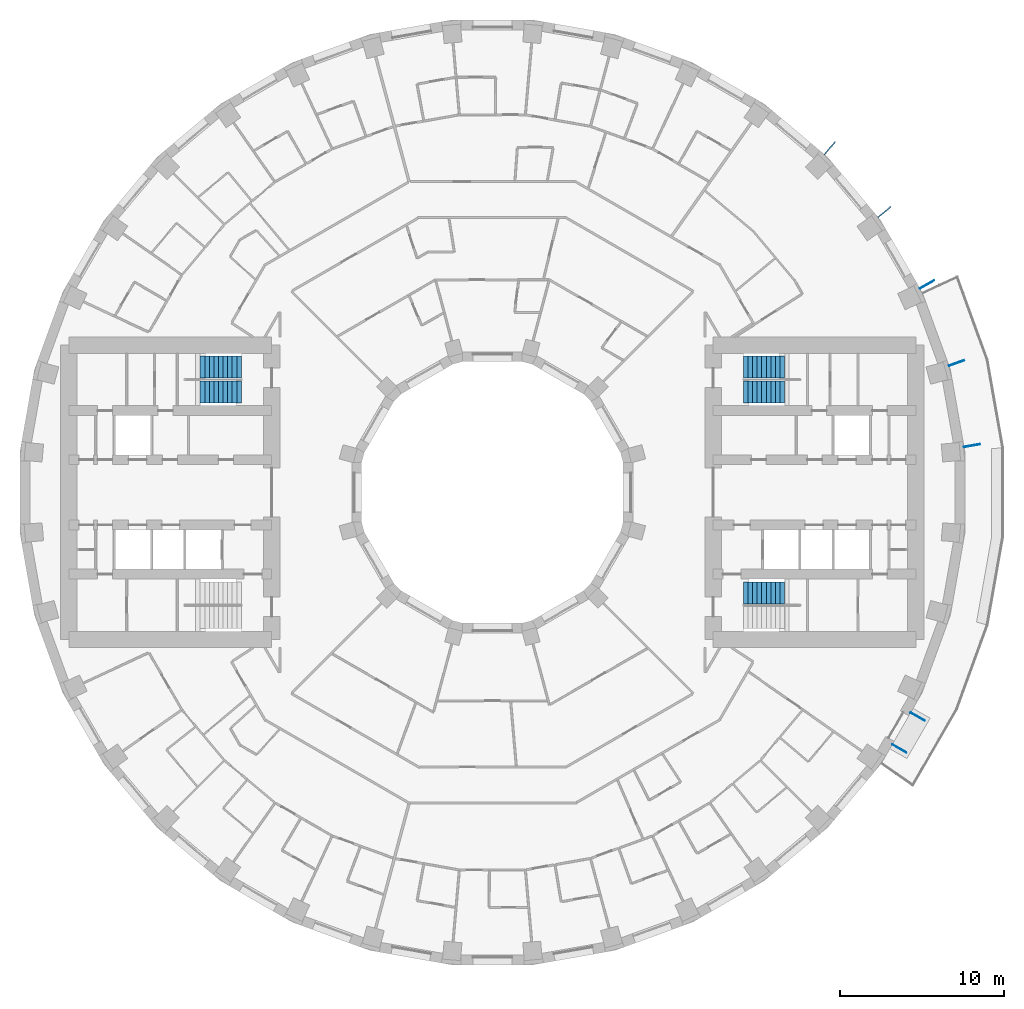
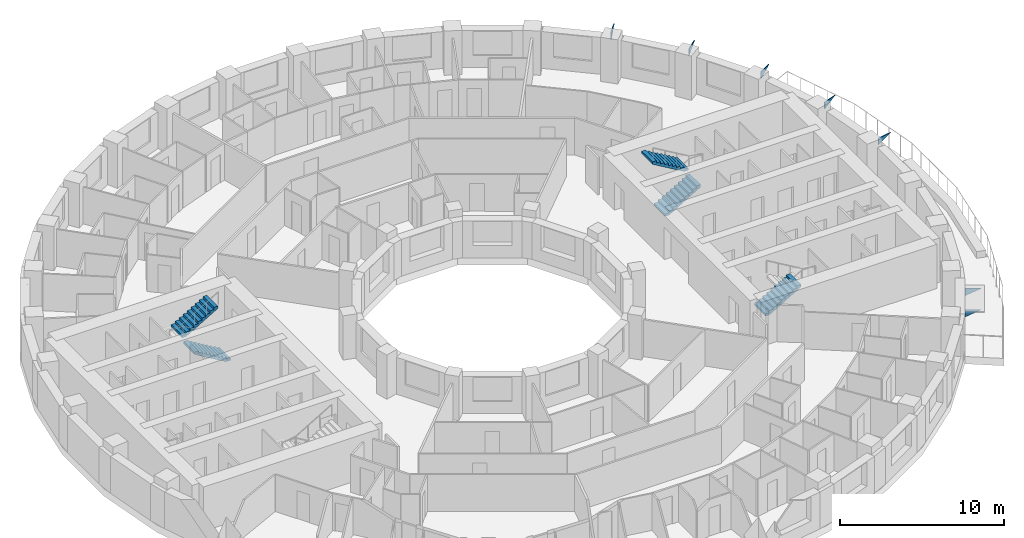
# One storey, part 13 of 14: 7 discrete accessories, 5 stair flights, 3 elements without a shape of their own.
"""IFC4 building model written with IfcOpenShell, lengths in metres."""

from ifc_helpers import new_model, si_unit, direction, frame, origin, place, context, subcontext, project, spatial, polyline, outline, extrude, material, layer, layer_set, type_object, element, aggregate, save


model = new_model("IFC4")

# Units and contexts
model_context = context("Model", 3, precision=1e-05, world=origin(), true_north=direction((0.0, 1.0)))
body_context = subcontext(model_context, "Body", "Model", "MODEL_VIEW")
ifc_project = project(units=[si_unit("LENGTHUNIT", "METRE"), si_unit("AREAUNIT", "SQUARE_METRE"), si_unit("VOLUMEUNIT", "CUBIC_METRE"), si_unit("PLANEANGLEUNIT", "RADIAN"), si_unit("MASSUNIT", "GRAM", prefix="KILO")], contexts=[model_context])

# Site, building, storey
site_placement = place(None, origin())
site = spatial("IfcSite", under=ifc_project, at=site_placement, CompositionType="ELEMENT")
building_placement = place(site_placement, origin())
building = spatial("IfcBuilding", under=site, at=building_placement, Name="Saqina Gate Tower", CompositionType="ELEMENT")
storey_placement = place(building_placement, frame((0.0, 0.0, 52.699951171875)))
storey = spatial("IfcBuildingStorey", under=building, at=storey_placement, Name="L14", CompositionType="ELEMENT", Elevation=52.699951171875)

# Stair, stair flights
ifc_material_1 = material(Name="Concrete C40/50", Category="concrete")
stair_type = type_object("IfcStairType", Name="EXIT STAIR", PredefinedType="HALF_TURN_STAIR", material=ifc_material_1)
stair_1_placement = place(storey_placement, origin())
stair_1 = element("IfcStair", 1, at=stair_1_placement, inside=storey, type_object=stair_type, Name="EXIT STAIR 1", PredefinedType="HALF_TURN_STAIR")
ifc_material_2 = material(Name="Concrete C40/50", Category="concrete")
stair_flight_type = type_object("IfcStairFlightType", Name="EXIT STAIR FLIGHT", PredefinedType="STRAIGHT", material=ifc_material_2)
stair_flight_1_placement = place(storey_placement, frame((15.35009765625, 6.1416015625, 0.0), z_axis=(0.0, 0.0, 1.0), x_axis=(1.0, 0.0, 0.0)))
stair_flight_1 = element("IfcStairFlight", 2, at=stair_flight_1_placement, type_object=stair_flight_type, Name="EXIT STAIR 1 FLIGHT 1", NumberOfRisers=10, NumberOfTreads=9, PredefinedType="STRAIGHT", RiserHeight=0.165, TreadLength=0.28, context=body_context, shape_type="SweptSolid", body=[
    extrude(outline(polyline([(0.0, 0.0), (0.0, 0.1650390625), (0.280029296875, 0.1650390625), (0.280029296875, 0.330078125), (0.56005859375, 0.330078125), (0.56005859375, 0.4951171875), (0.840087890625, 0.4951171875), (0.840087890625, 0.659912109375), (1.1201171875, 0.659912109375), (1.1201171875, 0.824951171875), (1.39990234375, 0.824951171875), (1.39990234375, 0.989990234375), (1.679931640625, 0.989990234375), (1.679931640625, 1.155029296875), (1.9599609375, 1.155029296875), (1.9599609375, 1.320068359375), (2.239990234375, 1.320068359375), (2.239990234375, 1.485107421875), (2.52001953125, 1.485107421875), (2.52001953125, 1.64990234375), (2.52001953125, 1.31103515625), (0.295166015625, 0.0), (0.0, 0.0)])), frame((0.0, 0.675048828125, 0.0), z_axis=(0.0, -1.0, 0.0), x_axis=(1.0, 0.0, 0.0)), (0.0, 0.0, 1.0), 1.35009765625),
])
stair_flight_2_placement = place(storey_placement, frame((17.8701171875, 7.658447265625, 1.650146484375), z_axis=(0.0, 0.0, 1.0), x_axis=(-1.0, 0.0, 0.0)))
stair_flight_2 = element("IfcStairFlight", 3, at=stair_flight_2_placement, type_object=stair_flight_type, Name="EXIT STAIR 1 FLIGHT 2", NumberOfRisers=10, NumberOfTreads=9, PredefinedType="STRAIGHT", RiserHeight=0.165, TreadLength=0.28, context=body_context, shape_type="SweptSolid", body=[
    extrude(outline(polyline([(0.0, 0.0), (0.0, 0.1650390625), (0.280029296875, 0.1650390625), (0.280029296875, 0.330078125), (0.56005859375, 0.330078125), (0.56005859375, 0.4951171875), (0.840087890625, 0.4951171875), (0.840087890625, 0.659912109375), (1.1201171875, 0.659912109375), (1.1201171875, 0.824951171875), (1.39990234375, 0.824951171875), (1.39990234375, 0.989990234375), (1.679931640625, 0.989990234375), (1.679931640625, 1.155029296875), (1.9599609375, 1.155029296875), (1.9599609375, 1.320068359375), (2.239990234375, 1.320068359375), (2.239990234375, 1.485107421875), (2.52001953125, 1.485107421875), (2.52001953125, 1.64990234375), (2.52001953125, 1.31103515625), (0.295166015625, 0.0), (0.0, 0.0)])), frame((0.0, 0.675048828125, 0.0), z_axis=(0.0, -1.0, 0.0), x_axis=(1.0, 0.0, 0.0)), (0.0, 0.0, 1.0), 1.35009765625),
])
aggregate(stair_1, [stair_flight_1, stair_flight_2])

# Stair, stair flight
stair_2_placement = place(storey_placement, origin())
stair_2 = element("IfcStair", 4, at=stair_2_placement, inside=storey, type_object=stair_type, Name="EXIT STAIR 2", PredefinedType="HALF_TURN_STAIR")
stair_flight_3_placement = place(storey_placement, frame((15.35009765625, -6.1416015625, 0.0), z_axis=(0.0, 0.0, 1.0), x_axis=(1.0, 0.0, 0.0)))
stair_flight_3 = element("IfcStairFlight", 5, at=stair_flight_3_placement, type_object=stair_flight_type, Name="EXIT STAIR 2 FLIGHT 1", NumberOfRisers=10, NumberOfTreads=9, PredefinedType="STRAIGHT", RiserHeight=0.165, TreadLength=0.28, context=body_context, shape_type="SweptSolid", body=[
    extrude(outline(polyline([(0.0, 0.0), (0.0, 0.1650390625), (0.280029296875, 0.1650390625), (0.280029296875, 0.330078125), (0.56005859375, 0.330078125), (0.56005859375, 0.4951171875), (0.840087890625, 0.4951171875), (0.840087890625, 0.659912109375), (1.1201171875, 0.659912109375), (1.1201171875, 0.824951171875), (1.39990234375, 0.824951171875), (1.39990234375, 0.989990234375), (1.679931640625, 0.989990234375), (1.679931640625, 1.155029296875), (1.9599609375, 1.155029296875), (1.9599609375, 1.320068359375), (2.239990234375, 1.320068359375), (2.239990234375, 1.485107421875), (2.52001953125, 1.485107421875), (2.52001953125, 1.64990234375), (2.52001953125, 1.31103515625), (0.295166015625, 0.0), (0.0, 0.0)])), frame((0.0, 0.675048828125, 0.0), z_axis=(0.0, -1.0, 0.0), x_axis=(1.0, 0.0, 0.0)), (0.0, 0.0, 1.0), 1.35009765625),
])
aggregate(stair_2, [stair_flight_3])

# Stair, stair flights
stair_3_placement = place(storey_placement, origin())
stair_3 = element("IfcStair", 6, at=stair_3_placement, inside=storey, type_object=stair_type, Name="EXIT STAIR 3", PredefinedType="HALF_TURN_STAIR")
stair_flight_4_placement = place(storey_placement, frame((-15.35009765625, 6.1416015625, 0.0), z_axis=(0.0, 0.0, 1.0), x_axis=(-1.0, 0.0, 0.0)))
stair_flight_4 = element("IfcStairFlight", 7, at=stair_flight_4_placement, type_object=stair_flight_type, Name="EXIT STAIR 3 FLIGHT 1", NumberOfRisers=10, NumberOfTreads=9, PredefinedType="STRAIGHT", RiserHeight=0.165, TreadLength=0.28, context=body_context, shape_type="SweptSolid", body=[
    extrude(outline(polyline([(0.0, 0.0), (0.0, 0.1650390625), (0.280029296875, 0.1650390625), (0.280029296875, 0.330078125), (0.56005859375, 0.330078125), (0.56005859375, 0.4951171875), (0.840087890625, 0.4951171875), (0.840087890625, 0.659912109375), (1.1201171875, 0.659912109375), (1.1201171875, 0.824951171875), (1.39990234375, 0.824951171875), (1.39990234375, 0.989990234375), (1.679931640625, 0.989990234375), (1.679931640625, 1.155029296875), (1.9599609375, 1.155029296875), (1.9599609375, 1.320068359375), (2.239990234375, 1.320068359375), (2.239990234375, 1.485107421875), (2.52001953125, 1.485107421875), (2.52001953125, 1.64990234375), (2.52001953125, 1.31103515625), (0.295166015625, 0.0), (0.0, 0.0)])), frame((0.0, 0.675048828125, 0.0), z_axis=(0.0, -1.0, 0.0), x_axis=(1.0, 0.0, 0.0)), (0.0, 0.0, 1.0), 1.35009765625),
])
stair_flight_5_placement = place(storey_placement, frame((-17.8701171875, 7.658447265625, 1.650146484375), z_axis=(0.0, 0.0, 1.0), x_axis=(1.0, 0.0, 0.0)))
stair_flight_5 = element("IfcStairFlight", 8, at=stair_flight_5_placement, type_object=stair_flight_type, Name="EXIT STAIR 3 FLIGHT 2", NumberOfRisers=10, NumberOfTreads=9, PredefinedType="STRAIGHT", RiserHeight=0.165, TreadLength=0.28, context=body_context, shape_type="SweptSolid", body=[
    extrude(outline(polyline([(0.0, 0.0), (0.0, 0.1650390625), (0.280029296875, 0.1650390625), (0.280029296875, 0.330078125), (0.56005859375, 0.330078125), (0.56005859375, 0.4951171875), (0.840087890625, 0.4951171875), (0.840087890625, 0.659912109375), (1.1201171875, 0.659912109375), (1.1201171875, 0.824951171875), (1.39990234375, 0.824951171875), (1.39990234375, 0.989990234375), (1.679931640625, 0.989990234375), (1.679931640625, 1.155029296875), (1.9599609375, 1.155029296875), (1.9599609375, 1.320068359375), (2.239990234375, 1.320068359375), (2.239990234375, 1.485107421875), (2.52001953125, 1.485107421875), (2.52001953125, 1.64990234375), (2.52001953125, 1.31103515625), (0.295166015625, 0.0), (0.0, 0.0)])), frame((0.0, 0.675048828125, 0.0), z_axis=(0.0, -1.0, 0.0), x_axis=(1.0, 0.0, 0.0)), (0.0, 0.0, 1.0), 1.35009765625),
])
aggregate(stair_3, [stair_flight_4, stair_flight_5])

# Discrete accessories
ifc_material_3 = material(Name="Galvanised steel", Category="steel")
ifc_layer_1 = layer(ifc_material_3, 0.050048828125)
ifc_layer_set_1 = layer_set([ifc_layer_1], Name="BR-AWNING")
discrete_accessory_type_1 = type_object("IfcDiscreteAccessoryType", Name="BR-AWNING", PredefinedType="BRACKET", material=ifc_layer_set_1)
discrete_accessory_1_placement = place(storey_placement, frame((24.47021484375, -15.395751953125, 1.97509765625), z_axis=(0.50002537861, 0.866010750942, 0.0), x_axis=(0.0, 0.0, 1.0)))
element("IfcDiscreteAccessory", 9, at=discrete_accessory_1_placement, inside=storey, type_object=discrete_accessory_type_1, Name="Awning bracket L14 facet 33", PredefinedType="BRACKET", context=body_context, shape_type="SweptSolid", body=[
    extrude(outline(polyline([(0.0, 0.0), (0.550048828125, 0.0), (0.550048828125, 0.9999492453569568), (0.0, 0.0)])), origin(), (0.0, 0.0, -1.0), 0.050048828125),
])
discrete_accessory_2_placement = place(storey_placement, frame((25.593017578125, -13.45068359375, 1.97509765625), z_axis=(0.499919672301, 0.866071776036, 0.0), x_axis=(0.0, 0.0, 1.0)))
element("IfcDiscreteAccessory", 10, at=discrete_accessory_2_placement, inside=storey, type_object=discrete_accessory_type_1, Name="Awning bracket L14 facet 33", PredefinedType="BRACKET", context=body_context, shape_type="SweptSolid", body=[
    extrude(outline(polyline([(0.0, 0.0), (0.550048828125, 0.0), (0.550048828125, 1.0001606812130883), (0.0, 0.0)])), origin(), (0.0, 0.0, -1.0), 0.050048828125),
])
ifc_material_4 = material(Name="Galvanised steel", Category="steel")
ifc_layer_2 = layer(ifc_material_4, 0.050048828125)
ifc_layer_set_2 = layer_set([ifc_layer_2], Name="BR-GUSSET")
discrete_accessory_type_2 = type_object("IfcDiscreteAccessoryType", Name="BR-GUSSET", PredefinedType="BRACKET", material=ifc_layer_set_2)
discrete_accessory_3_placement = place(storey_placement, frame((28.841796875, 2.79833984375, 2.25), z_axis=(-0.173576426815, 0.984820401928, 0.0), x_axis=(0.0, 0.0, 1.0)))
element("IfcDiscreteAccessory", 11, at=discrete_accessory_3_placement, inside=storey, type_object=discrete_accessory_type_2, Name="Terrace slab bracket L15 1", PredefinedType="BRACKET", context=body_context, shape_type="SweptSolid", body=[
    extrude(outline(polyline([(0.0, 0.0), (0.5, 0.0), (0.5, 1.000043540245132), (0.0, 0.0)])), origin(), (0.0, 0.0, -1.0), 0.050048828125),
])
discrete_accessory_4_placement = place(storey_placement, frame((27.917724609375, 7.76416015625, 2.25), z_axis=(-0.342037080957, 0.939686455819, 0.0), x_axis=(0.0, 0.0, 1.0)))
element("IfcDiscreteAccessory", 12, at=discrete_accessory_4_placement, inside=storey, type_object=discrete_accessory_type_2, Name="Terrace slab bracket L15 2", PredefinedType="BRACKET", context=body_context, shape_type="SweptSolid", body=[
    extrude(outline(polyline([(0.0, 0.0), (0.5, 0.0), (0.5, 1.000011503630275), (0.0, 0.0)])), origin(), (0.0, 0.0, -1.0), 0.050048828125),
])
discrete_accessory_5_placement = place(storey_placement, frame((26.1455078125, 12.494140625, 2.25), z_axis=(-0.50002537861, 0.866010750942, 0.0), x_axis=(0.0, 0.0, 1.0)))
element("IfcDiscreteAccessory", 13, at=discrete_accessory_5_placement, inside=storey, type_object=discrete_accessory_type_2, Name="Terrace slab bracket L15 3", PredefinedType="BRACKET", context=body_context, shape_type="SweptSolid", body=[
    extrude(outline(polyline([(0.0, 0.0), (0.5, 0.0), (0.5, 0.9999492453569568), (0.0, 0.0)])), origin(), (0.0, 0.0, -1.0), 0.050048828125),
])
for number, where, z_axis, x_axis, name in (
    (14, (23.57861328125, 16.844482421875, 2.25), (-0.64277405138, 0.766055819685, 0.0), (0.0, 0.0, 1.0), "Terrace slab bracket L15 4"),
    (15, (20.29541015625, 20.682861328125, 2.25), (-0.766055819685, 0.64277405138, 0.0), (0.0, 0.0, 1.0), "Terrace slab bracket L15 5"),
):
    element("IfcDiscreteAccessory", number, at=place(storey_placement, frame(where, z_axis=z_axis, x_axis=x_axis)), inside=storey, type_object=discrete_accessory_type_2, Name=name, PredefinedType="BRACKET", context=body_context, shape_type="SweptSolid", body=[
        extrude(outline(polyline([(0.0, 0.0), (0.5, 0.0), (0.5, 1.0000750096322275), (0.0, 0.0)])), origin(), (0.0, 0.0, -1.0), 0.050048828125),
    ])

save(model, "model.ifc")
